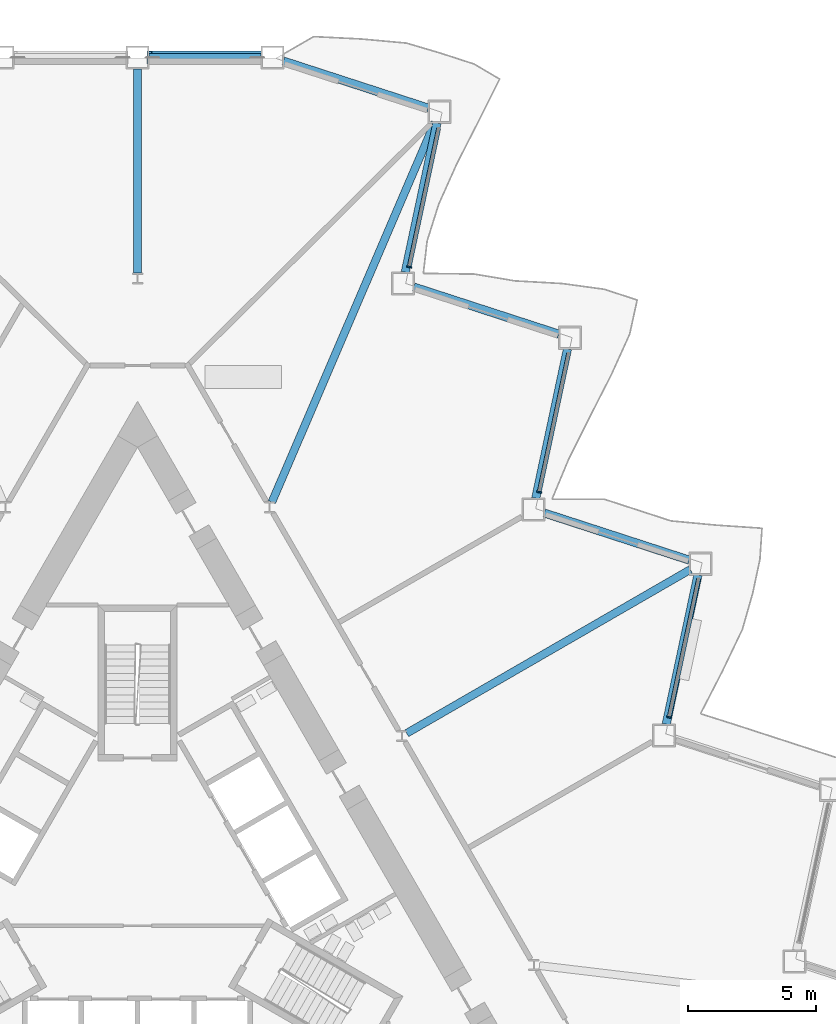
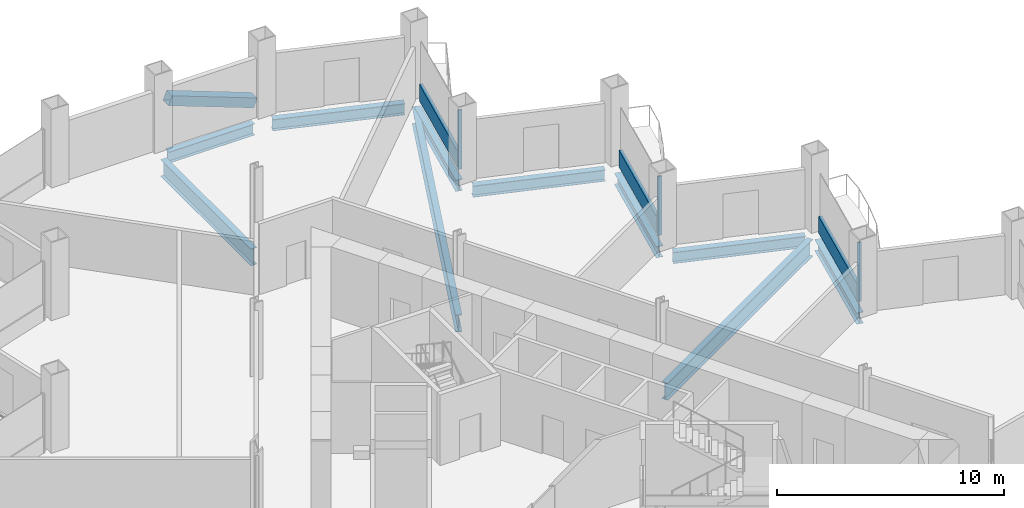
# One storey, part 8 of 21: 10 beams, 7 members, 3 elements without a shape of their own.
"""IFC4 building model written with IfcOpenShell, lengths in metres."""

import ifcopenshell
import ifcopenshell.guid

model = None  # the IFC model being written
_history = None  # IfcOwnerHistory: only IFC2X3 demands one
_inside = {}  # id of a spatial element -> (the spatial element, [elements in it])
_under = {}  # id of a project, library or spatial element -> (it, [spatial elements below it])
_declared = {}  # id of a project -> (the project, [libraries it declares])
_typed = {}  # id of a type object -> (the type object, [elements of that type])
_made_of = {}  # id of a material, layer set ... -> (it, [elements and type objects made of it])


def new_model(schema):
    """Start an empty IFC model of exactly this schema.

    Asked for "IFC4X3", IfcOpenShell would pick the latest addendum, in which some entities
    have other attributes; the version numbers below select the first issue.
    IFC2X3 requires an IfcOwnerHistory on every rooted entity: one is made here for all.
    """
    global model, _history
    if schema == "IFC4X3":
        model = ifcopenshell.file(schema_version=(4, 3, 0, 0))
    else:
        model = ifcopenshell.file(schema=schema)
    _inside.clear()
    _under.clear()
    _declared.clear()
    _typed.clear()
    _made_of.clear()
    _history = None
    if model.schema == "IFC2X3":
        org = make("IfcOrganization", Name="unknown")
        user = make(
            "IfcPersonAndOrganization",
            ThePerson=make("IfcPerson", FamilyName="unknown"),
            TheOrganization=org,
        )
        app = make(
            "IfcApplication",
            ApplicationDeveloper=org,
            Version="unknown",
            ApplicationFullName="unknown",
            ApplicationIdentifier="unknown",
        )
        _history = make(
            "IfcOwnerHistory",
            OwningUser=user,
            OwningApplication=app,
            ChangeAction="ADDED",
            CreationDate=0,
        )
    return model


def make(cls, **values):
    """One entity of the class cls with the attributes given. An attribute that is None is left unset."""
    return model.create_entity(
        cls, **{name: value for name, value in values.items() if value is not None}
    )


def rooted(cls, **values):
    """An entity with a GlobalId (a new one), such as an element, a storey or a relation."""
    return make(cls, GlobalId=ifcopenshell.guid.new(), OwnerHistory=_history, **values)


def si_unit(unit_type, name, prefix=None):
    """IfcSIUnit, for example si_unit("LENGTHUNIT", "METRE", prefix="MILLI")."""
    return make("IfcSIUnit", UnitType=unit_type, Prefix=prefix, Name=name)


def assignment(units):
    """IfcUnitAssignment: the units of a project."""
    return None if units is None else make("IfcUnitAssignment", Units=units)


def point(xyz):
    """IfcCartesianPoint."""
    return None if xyz is None else make("IfcCartesianPoint", Coordinates=xyz)


def direction(xyz):
    """IfcDirection."""
    return None if xyz is None else make("IfcDirection", DirectionRatios=xyz)


def frame(location, z_axis=None, x_axis=None):
    """IfcAxis2Placement3D, a coordinate frame: its origin and axes. An axis left out is left unset."""
    return make(
        "IfcAxis2Placement3D",
        Location=point(location),
        Axis=direction(z_axis),
        RefDirection=direction(x_axis),
    )


def frame_2d(location, x_axis=None):
    """IfcAxis2Placement2D, a coordinate frame in the plane: its origin and x axis."""
    return make(
        "IfcAxis2Placement2D", Location=point(location), RefDirection=direction(x_axis)
    )


def origin():
    """The frame at (0, 0, 0) with its axes left unset."""
    return frame((0.0, 0.0, 0.0))


def origin_2d():
    """The frame at (0, 0) in the plane with its x axis left unset."""
    return frame_2d((0.0, 0.0))


def place(relative_to, where):
    """IfcLocalPlacement: puts the frame where relative to a parent placement (None: the world)."""
    return make(
        "IfcLocalPlacement", PlacementRelTo=relative_to, RelativePlacement=where
    )


def context(
    kind, dimensions, precision=None, world=None, true_north=None, identifier=None
):
    """IfcGeometricRepresentationContext, for example the 3D "Model" context."""
    return make(
        "IfcGeometricRepresentationContext",
        ContextIdentifier=identifier,
        ContextType=kind,
        CoordinateSpaceDimension=dimensions,
        Precision=precision,
        WorldCoordinateSystem=world,
        TrueNorth=true_north,
    )


def subcontext(parent, identifier, kind, view, scale=None):
    """IfcGeometricRepresentationSubContext, for example "Body" below "Model"."""
    return make(
        "IfcGeometricRepresentationSubContext",
        ContextIdentifier=identifier,
        ContextType=kind,
        ParentContext=parent,
        TargetScale=scale,
        TargetView=view,
    )


def project(units=None, contexts=None):
    """IfcProject with its units and contexts."""
    return rooted(
        "IfcProject",
        Name="project",
        RepresentationContexts=contexts,
        UnitsInContext=assignment(units),
    )


def spatial(cls, under=None, at=None, **own):
    """A site, building, storey or space (cls), placed at a placement, below another one or the project."""
    s = rooted(cls, ObjectPlacement=at, **own)
    if under is not None:
        _under.setdefault(under.id(), (under, []))[1].append(s)
    return s


def profile(cls, at=None, kind="AREA", **sizes):
    """A parametric profile (cls). Its sizes go by their IFC names, for example OverallWidth=200.0."""
    return make(cls, ProfileType=kind, Position=at, **sizes)


def rectangle(**sizes):
    """IfcRectangleProfileDef."""
    return profile("IfcRectangleProfileDef", **sizes)


def hollow_rectangle(**sizes):
    """IfcRectangleHollowProfileDef."""
    return profile("IfcRectangleHollowProfileDef", **sizes)


def i_section(**sizes):
    """IfcIShapeProfileDef."""
    return profile("IfcIShapeProfileDef", **sizes)


def extrude(swept, where, along, depth):
    """IfcExtrudedAreaSolid: the profile swept, set in the frame where, extruded along a direction by depth."""
    return make(
        "IfcExtrudedAreaSolid",
        SweptArea=swept,
        Position=where,
        ExtrudedDirection=direction(along),
        Depth=depth,
    )


def shape(context_of_items, identifier, shape_type, items):
    """IfcShapeRepresentation: the items that make up one representation, for example the "Body"."""
    return make(
        "IfcShapeRepresentation",
        ContextOfItems=context_of_items,
        RepresentationIdentifier=identifier,
        RepresentationType=shape_type,
        Items=items,
    )


def material(Name=None, Category=None):
    """IfcMaterial."""
    return make("IfcMaterial", Name=Name, Category=Category)


def layer(
    of_material, thickness, ventilated=None, Name=None, Category=None, Priority=None
):
    """IfcMaterialLayer: one layer of a wall or slab, of a material (None: an air gap)."""
    return make(
        "IfcMaterialLayer",
        Material=of_material,
        LayerThickness=thickness,
        IsVentilated=ventilated,
        Name=Name,
        Category=Category,
        Priority=Priority,
    )


def layer_set(layers, Name=None):
    """IfcMaterialLayerSet."""
    return make("IfcMaterialLayerSet", MaterialLayers=layers, LayerSetName=Name)


def material_profile(
    of_material, cross_section, Name=None, Category=None, Priority=None
):
    """IfcMaterialProfile: a cross section and its material."""
    return make(
        "IfcMaterialProfile",
        Name=Name,
        Material=of_material,
        Profile=cross_section,
        Priority=Priority,
        Category=Category,
    )


def profile_set(profiles, Name=None, composite=None):
    """IfcMaterialProfileSet."""
    return make(
        "IfcMaterialProfileSet",
        Name=Name,
        MaterialProfiles=profiles,
        CompositeProfile=composite,
    )


def made_of(thing, what):
    """Note that an element or type object is made of a material, layer set ...; save() writes the relation."""
    if what is not None:
        _made_of.setdefault(what.id(), (what, []))[1].append(thing)
    return thing


def type_object(cls, material=None, **own):
    """A type object (cls), such as IfcWallType, which elements share."""
    return made_of(rooted(cls, **own), material)


def element(
    cls,
    number,
    at=None,
    inside=None,
    cuts=None,
    type_object=None,
    material=None,
    context=None,
    identifier="Body",
    shape_type=None,
    held_by="IfcProductDefinitionShape",
    body=None,
    shapes=None,
    **own,
):
    """One element of the class cls, such as IfcWall. Its Tag is "e" and its number.

    at: its placement. inside: the storey or other place that contains it. cuts: it is an
    opening in that element (IfcRelVoidsElement). A single representation is given by context,
    identifier, shape_type and body (its items); several are given by shapes. held_by: the class
    of the entity that holds the representations. save() writes the other relations.
    """
    e = rooted(cls, Tag="e%d" % number, ObjectPlacement=at, **own)
    if body is not None:
        shapes = [shape(context, identifier, shape_type, body)]
    if shapes is not None:
        e.Representation = make(held_by, Representations=shapes)
    if inside is not None:
        _inside.setdefault(inside.id(), (inside, []))[1].append(e)
    if cuts is not None:
        rooted(
            "IfcRelVoidsElement", RelatingBuildingElement=cuts, RelatedOpeningElement=e
        )
    if type_object is not None:
        _typed.setdefault(type_object.id(), (type_object, []))[1].append(e)
    return made_of(e, material)


def aggregate(whole, parts):
    """IfcRelAggregates: a whole, such as a stair, and the parts it consists of."""
    return rooted("IfcRelAggregates", RelatingObject=whole, RelatedObjects=parts)


def save(model, path):
    """Write the relations noted so far, then the file.

    IfcRelAggregates (storeys below a building ...), IfcRelContainedInSpatialStructure (elements
    in a storey), IfcRelDefinesByType, IfcRelAssociatesMaterial and IfcRelDeclares: one each for
    every whole, place, type object, material and project.
    """
    for whole, parts in _under.values():
        aggregate(whole, parts)
    for where, things in _inside.values():
        rooted(
            "IfcRelContainedInSpatialStructure",
            RelatedElements=things,
            RelatingStructure=where,
        )
    for kind, things in _typed.values():
        rooted("IfcRelDefinesByType", RelatedObjects=things, RelatingType=kind)
    for what, things in _made_of.values():
        rooted("IfcRelAssociatesMaterial", RelatedObjects=things, RelatingMaterial=what)
    for by, libraries in _declared.values():
        rooted("IfcRelDeclares", RelatingContext=by, RelatedDefinitions=libraries)
    model.write(path)


model = new_model("IFC4")

# Units and contexts
model_context = context("Model", 3, precision=1e-05, world=origin(), true_north=direction((0.0, 1.0)))
body_context = subcontext(model_context, "Body", "Model", "MODEL_VIEW")
ifc_project = project(units=[si_unit("LENGTHUNIT", "METRE"), si_unit("AREAUNIT", "SQUARE_METRE"), si_unit("VOLUMEUNIT", "CUBIC_METRE"), si_unit("PLANEANGLEUNIT", "RADIAN"), si_unit("MASSUNIT", "GRAM", prefix="KILO")], contexts=[model_context])

# Site, building, storey
site_placement = place(None, origin())
site = spatial("IfcSite", under=ifc_project, at=site_placement, CompositionType="ELEMENT")
building_placement = place(site_placement, origin())
building = spatial("IfcBuilding", under=site, at=building_placement, Name="Cormorant Prow Tower", CompositionType="ELEMENT")
storey_placement = place(building_placement, frame((0.0, 0.0, 150.0)))
storey = spatial("IfcBuildingStorey", under=building, at=storey_placement, Name="L32", CompositionType="ELEMENT", Elevation=150.0)

# Member
ifc_material_1 = material(Name="Structural steel ASTM A500 Gr C", Category="steel")
ifc_material_profile_1 = material_profile(ifc_material_1, hollow_rectangle(XDim=0.508056640625, YDim=0.508056640625, WallThickness=0.014892578125, at=origin_2d()), Name="HSS20x20x5/8")
ifc_profile_set_1 = profile_set([ifc_material_profile_1], Name="Structural steel ASTM A500 Gr C")
member_type_1 = type_object("IfcMemberType", Name="Chamfer brace HSS20x20x5/8", PredefinedType="BRACE", material=ifc_profile_set_1)
member_1_placement = place(storey_placement, frame((4.8017578125, 32.487060546875, 0.776611328125), z_axis=(-0.935582009332, 0.0, 0.353109478511), x_axis=(0.0, -1.0, 0.0)))
element("IfcMember", 1, at=member_1_placement, inside=storey, type_object=member_type_1, Name="Chamfer brace BR1 at N00 L32", PredefinedType="BRACE", context=body_context, shape_type="SweptSolid", body=[
    extrude(hollow_rectangle(XDim=0.508056640625, YDim=0.508056640625, WallThickness=0.014892578125, at=origin_2d()), origin(), (0.0, 0.0, 1.0), 4.63232421875),
])

# Curtain wall, member
ifc_material_2 = material(Name="Aluminium 6063-T6", Category="aluminium")
ifc_layer = layer(ifc_material_2, 0.199951171875)
ifc_layer_set = layer_set([ifc_layer], Name="Aluminium 6063-T6")
curtain_wall_type = type_object("IfcCurtainWallType", Name="Office unitised curtain wall 200", PredefinedType="NOTDEFINED", material=ifc_layer_set)
curtain_wall_1_placement = place(storey_placement, origin())
curtain_wall_1 = element("IfcCurtainWall", 2, at=curtain_wall_1_placement, inside=storey, type_object=curtain_wall_type, Name="Office curtain wall ENE04", PredefinedType="NOTDEFINED")
ifc_material_3 = material(Name="Aluminium 6063-T6", Category="aluminium")
ifc_material_profile_2 = material_profile(ifc_material_3, rectangle(XDim=0.199951171875, YDim=0.06005859375, at=origin_2d()), Name="Office mullion 60x200")
ifc_profile_set_2 = profile_set([ifc_material_profile_2], Name="Aluminium 6063-T6")
member_type_2 = type_object("IfcMemberType", Name="Office mullion 60x200", PredefinedType="MULLION", material=ifc_profile_set_2)
member_2_placement = place(storey_placement, frame((20.780517578125, 6.70166015625, 0.0), z_axis=(0.0, 0.0, 1.0), x_axis=(-0.978147605999, 0.207911666046, 0.0)))
member_2 = element("IfcMember", 3, at=member_2_placement, type_object=member_type_2, Name="Office mullion ENE04", PredefinedType="MULLION", context=body_context, shape_type="SweptSolid", body=[
    extrude(rectangle(XDim=0.199951171875, YDim=0.06005859375, at=origin_2d()), origin(), (0.0, 0.0, 1.0), 3.18896484375),
])

curtain_wall_2_placement = place(storey_placement, origin())
curtain_wall_2 = element("IfcCurtainWall", 4, at=curtain_wall_2_placement, inside=storey, type_object=curtain_wall_type, Name="Office curtain wall ENE06", PredefinedType="NOTDEFINED")
member_3_placement = place(storey_placement, frame((15.69921875, 15.5029296875, 0.0), z_axis=(0.0, 0.0, 1.0), x_axis=(-0.978147599674, 0.207911695803, 0.0)))
member_3 = element("IfcMember", 5, at=member_3_placement, type_object=member_type_2, Name="Office mullion ENE06", PredefinedType="MULLION", context=body_context, shape_type="SweptSolid", body=[
    extrude(rectangle(XDim=0.199951171875, YDim=0.06005859375, at=origin_2d()), origin(), (0.0, 0.0, 1.0), 3.18896484375),
])

curtain_wall_3_placement = place(storey_placement, origin())
curtain_wall_3 = element("IfcCurtainWall", 6, at=curtain_wall_3_placement, inside=storey, type_object=curtain_wall_type, Name="Office curtain wall ENE08", PredefinedType="NOTDEFINED")
member_4_placement = place(storey_placement, frame((10.61767578125, 24.30419921875, 0.0), z_axis=(0.0, 0.0, 1.0), x_axis=(-0.978147605999, 0.207911666046, 0.0)))
member_4 = element("IfcMember", 7, at=member_4_placement, type_object=member_type_2, Name="Office mullion ENE08", PredefinedType="MULLION", context=body_context, shape_type="SweptSolid", body=[
    extrude(rectangle(XDim=0.199951171875, YDim=0.06005859375, at=origin_2d()), origin(), (0.0, 0.0, 1.0), 3.18896484375),
])

# Member
ifc_material_4 = material(Name="Terracotta", Category="masonry")
ifc_material_profile_3 = material_profile(ifc_material_4, rectangle(XDim=0.159912109375, YDim=0.89990234375, at=origin_2d()), Name="Office terracotta spandrel rail 160x900")
ifc_profile_set_3 = profile_set([ifc_material_profile_3], Name="Terracotta")
member_type_3 = type_object("IfcMemberType", Name="Office terracotta spandrel rail 160x900", PredefinedType="USERDEFINED", material=ifc_profile_set_3)
member_5_placement = place(storey_placement, frame((20.786865234375, 6.73095703125, 0.449951171875), z_axis=(0.207878378183, 0.97815468096, 0.0), x_axis=(-0.97815468096, 0.207878378183, 0.0)))
member_5 = element("IfcMember", 8, at=member_5_placement, type_object=member_type_3, Name="Office spandrel rail ENE04", ObjectType="TRANSOM", PredefinedType="USERDEFINED", context=body_context, shape_type="SweptSolid", body=[
    extrude(rectangle(XDim=0.159912109375, YDim=0.89990234375, at=origin_2d()), origin(), (0.0, 0.0, 1.0), 5.505859375),
])

aggregate(curtain_wall_1, [member_2, member_5])

member_6_placement = place(storey_placement, frame((15.705322265625, 15.5322265625, 0.449951171875), z_axis=(0.207920804056, 0.978145663611, 0.0), x_axis=(-0.978145663611, 0.207920804056, 0.0)))
member_6 = element("IfcMember", 9, at=member_6_placement, type_object=member_type_3, Name="Office spandrel rail ENE06", ObjectType="TRANSOM", PredefinedType="USERDEFINED", context=body_context, shape_type="SweptSolid", body=[
    extrude(rectangle(XDim=0.159912109375, YDim=0.89990234375, at=origin_2d()), origin(), (0.0, 0.0, 1.0), 5.505859375),
])

aggregate(curtain_wall_2, [member_3, member_6])

member_7_placement = place(storey_placement, frame((10.6240234375, 24.33349609375, 0.449951171875), z_axis=(0.207878378183, 0.97815468096, 0.0), x_axis=(-0.97815468096, 0.207878378183, 0.0)))
member_7 = element("IfcMember", 10, at=member_7_placement, type_object=member_type_3, Name="Office spandrel rail ENE08", ObjectType="TRANSOM", PredefinedType="USERDEFINED", context=body_context, shape_type="SweptSolid", body=[
    extrude(rectangle(XDim=0.159912109375, YDim=0.89990234375, at=origin_2d()), origin(), (0.0, 0.0, 1.0), 5.505859375),
])

aggregate(curtain_wall_3, [member_4, member_7])

# Beams
ifc_material_5 = material(Name="Structural steel ASTM A992 Gr 50", Category="steel")
ifc_material_profile_4 = material_profile(ifc_material_5, i_section(OverallWidth=0.3046875, OverallDepth=0.914794921875, WebThickness=0.0166015625, FlangeThickness=0.02587890625, at=origin_2d()), Name="W36x160")
ifc_profile_set_4 = profile_set([ifc_material_profile_4], Name="Structural steel ASTM A992 Gr 50")
beam_type_1 = type_object("IfcBeamType", Name="Radial floor beam W36x160", PredefinedType="BEAM", material=ifc_profile_set_4)
beam_1_placement = place(storey_placement, frame((0.0, 24.070068359375, -0.857421875), z_axis=(0.0, 1.0, 0.0), x_axis=(-1.0, 0.0, 0.0)))
element("IfcBeam", 11, at=beam_1_placement, inside=storey, type_object=beam_type_1, Name="Radial floor beam FB1 1 L32", PredefinedType="BEAM", context=body_context, shape_type="SweptSolid", body=[
    extrude(i_section(OverallWidth=0.3046875, OverallDepth=0.914794921875, WebThickness=0.0166015625, FlangeThickness=0.02587890625, at=origin_2d()), origin(), (0.0, 0.0, 1.0), 7.966796875),
])
beam_2_placement = place(storey_placement, frame((10.516845703125, 6.07177734375, -0.857421875), z_axis=(0.866021760006, 0.500006311156, 0.0), x_axis=(-0.500006311156, 0.866021760006, 0.0)))
element("IfcBeam", 12, at=beam_2_placement, inside=storey, type_object=beam_type_1, Name="Radial floor beam FB1 11 L32", PredefinedType="BEAM", context=body_context, shape_type="SweptSolid", body=[
    extrude(i_section(OverallWidth=0.3046875, OverallDepth=0.914794921875, WebThickness=0.0166015625, FlangeThickness=0.02587890625, at=origin_2d()), origin(), (0.0, 0.0, 1.0), 12.805419921875),
])
beam_3_placement = place(storey_placement, frame((5.25, 15.107666015625, -0.857421875), z_axis=(0.394273140268, 0.918993302948, 0.0), x_axis=(-0.918993302948, 0.394273140268, 0.0)))
element("IfcBeam", 13, at=beam_3_placement, inside=storey, type_object=beam_type_1, Name="Radial floor beam FB1 12 L32", PredefinedType="BEAM", context=body_context, shape_type="SweptSolid", body=[
    extrude(i_section(OverallWidth=0.3046875, OverallDepth=0.914794921875, WebThickness=0.0166015625, FlangeThickness=0.02587890625, at=origin_2d()), origin(), (0.0, 0.0, 1.0), 16.153564453125),
])
ifc_material_6 = material(Name="Structural steel ASTM A992 Gr 50", Category="steel")
ifc_material_profile_5 = material_profile(ifc_material_6, i_section(OverallWidth=0.32373046875, OverallDepth=0.611083984375, WebThickness=0.0126953125, FlangeThickness=0.01904296875, at=origin_2d()), Name="W24x104")
ifc_profile_set_5 = profile_set([ifc_material_profile_5], Name="Structural steel ASTM A992 Gr 50")
beam_type_2 = type_object("IfcBeamType", Name="Spandrel beam W24x104", PredefinedType="SPANDREL", material=ifc_profile_set_5)
beam_4_placement = place(storey_placement, frame((20.6630859375, 6.427001953125, -0.70556640625), z_axis=(0.207912620873, 0.978147403044, 0.0), x_axis=(-0.978147403044, 0.207912620873, 0.0)))
element("IfcBeam", 14, at=beam_4_placement, inside=storey, type_object=beam_type_2, Name="Spandrel beam SB1 ENE04-ENE05 L32", PredefinedType="SPANDREL", context=body_context, shape_type="SweptSolid", body=[
    extrude(i_section(OverallWidth=0.32373046875, OverallDepth=0.611083984375, WebThickness=0.0126953125, FlangeThickness=0.01904296875, at=origin_2d()), origin(), (0.0, 0.0, 1.0), 5.962890625),
])
for number, where, z_axis, x_axis, name in (
    (15, (21.568359375, 12.838623046875, -0.70556640625), (-0.951059340519, 0.309008302174, 0.0), (-0.309008302174, -0.951059340519, 0.0), "Spandrel beam SB1 ENE05-ENE06 L32"),
    (16, (15.56298828125, 15.260498046875, -0.70556640625), (0.207920947907, 0.978145633033, 0.0), (-0.978145633033, 0.207920947907, 0.0), "Spandrel beam SB1 ENE06-ENE07 L32"),
):
    element("IfcBeam", number, at=place(storey_placement, frame(where, z_axis=z_axis, x_axis=x_axis)), inside=storey, type_object=beam_type_2, Name=name, PredefinedType="SPANDREL", context=body_context, shape_type="SweptSolid", body=[
        extrude(i_section(OverallWidth=0.32373046875, OverallDepth=0.611083984375, WebThickness=0.0126953125, FlangeThickness=0.01904296875, at=origin_2d()), origin(), (0.0, 0.0, 1.0), 5.962646484375),
    ])
beam_5_placement = place(storey_placement, frame((16.468505859375, 21.671875, -0.70556640625), z_axis=(-0.95104730696, 0.309045336358, 0.0), x_axis=(-0.309045336358, -0.95104730696, 0.0)))
element("IfcBeam", 17, at=beam_5_placement, inside=storey, type_object=beam_type_2, Name="Spandrel beam SB1 ENE07-ENE08 L32", PredefinedType="SPANDREL", context=body_context, shape_type="SweptSolid", body=[
    extrude(i_section(OverallWidth=0.32373046875, OverallDepth=0.611083984375, WebThickness=0.0126953125, FlangeThickness=0.01904296875, at=origin_2d()), origin(), (0.0, 0.0, 1.0), 5.962890625),
])
beam_6_placement = place(storey_placement, frame((10.463134765625, 24.09375, -0.70556640625), z_axis=(0.207920947907, 0.978145633033, 0.0), x_axis=(-0.978145633033, 0.207920947907, 0.0)))
element("IfcBeam", 18, at=beam_6_placement, inside=storey, type_object=beam_type_2, Name="Spandrel beam SB1 ENE08-ENE09 L32", PredefinedType="SPANDREL", context=body_context, shape_type="SweptSolid", body=[
    extrude(i_section(OverallWidth=0.32373046875, OverallDepth=0.611083984375, WebThickness=0.0126953125, FlangeThickness=0.01904296875, at=origin_2d()), origin(), (0.0, 0.0, 1.0), 5.962646484375),
])
beam_7_placement = place(storey_placement, frame((11.368408203125, 30.50537109375, -0.70556640625), z_axis=(-0.951055430656, 0.309020335608, 0.0), x_axis=(-0.309020335608, -0.951055430656, 0.0)))
element("IfcBeam", 19, at=beam_7_placement, inside=storey, type_object=beam_type_2, Name="Spandrel beam SB1 ENE09-N00 L32", PredefinedType="SPANDREL", context=body_context, shape_type="SweptSolid", body=[
    extrude(i_section(OverallWidth=0.32373046875, OverallDepth=0.611083984375, WebThickness=0.0126953125, FlangeThickness=0.01904296875, at=origin_2d()), origin(), (0.0, 0.0, 1.0), 5.96240234375),
])
beam_8_placement = place(storey_placement, frame((4.819580078125, 32.487060546875, -0.70556640625), z_axis=(-1.0, 0.0, 0.0), x_axis=(0.0, -1.0, 0.0)))
element("IfcBeam", 20, at=beam_8_placement, inside=storey, type_object=beam_type_2, Name="Spandrel beam SB1 N00-N01 L32", PredefinedType="SPANDREL", context=body_context, shape_type="SweptSolid", body=[
    extrude(i_section(OverallWidth=0.32373046875, OverallDepth=0.611083984375, WebThickness=0.0126953125, FlangeThickness=0.01904296875, at=origin_2d()), origin(), (0.0, 0.0, 1.0), 4.36962890625),
])

save(model, "model.ifc")
